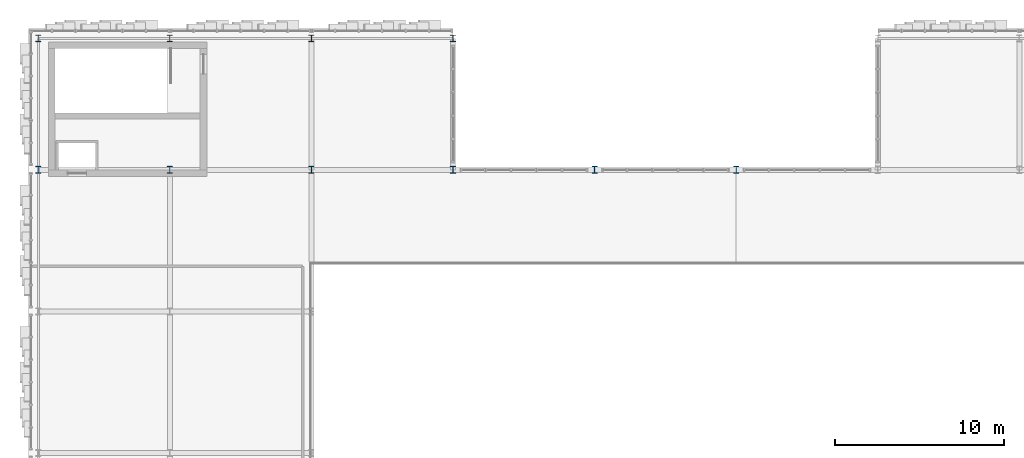
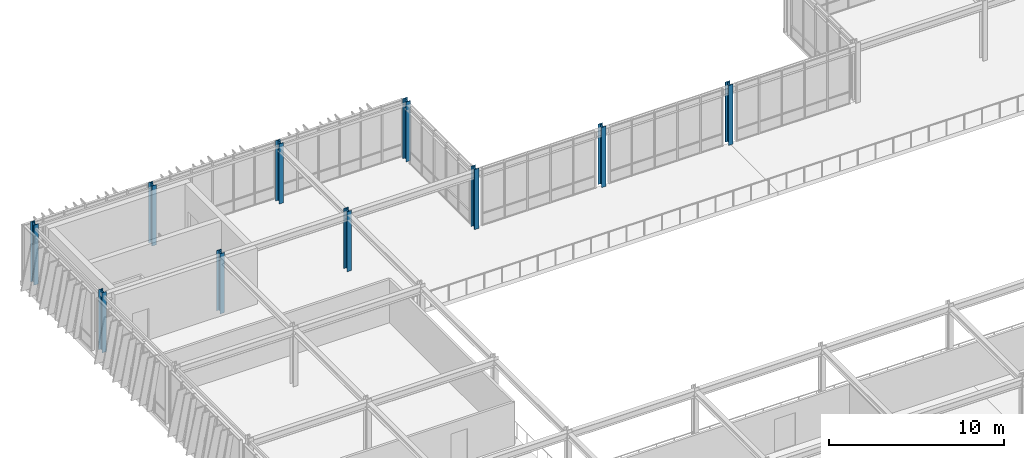
# One storey, part 9 of 123: 10 columns.
"""IFC4 building model written with IfcOpenShell, lengths in metres."""

from ifc_helpers import new_model, si_unit, direction, frame, origin, origin_2d, place, context, subcontext, project, spatial, i_section, extrude, material, material_profile, profile_set, type_object, element, save


model = new_model("IFC4")

# Units and contexts
model_context = context("Model", 3, precision=1e-05, world=origin(), true_north=direction((0.0, 1.0)))
body_context = subcontext(model_context, "Body", "Model", "MODEL_VIEW")
ifc_project = project(units=[si_unit("LENGTHUNIT", "METRE"), si_unit("AREAUNIT", "SQUARE_METRE"), si_unit("VOLUMEUNIT", "CUBIC_METRE"), si_unit("PLANEANGLEUNIT", "RADIAN"), si_unit("MASSUNIT", "GRAM", prefix="KILO")], contexts=[model_context])

# Site, building, storey
site_placement = place(None, origin())
site = spatial("IfcSite", under=ifc_project, at=site_placement, CompositionType="ELEMENT")
building_placement = place(site_placement, origin())
building = spatial("IfcBuilding", under=site, at=building_placement, Name="Zayran Congress Hotel", CompositionType="ELEMENT")
storey_placement = place(building_placement, frame((0.0, 0.0, 15.0)))
storey = spatial("IfcBuildingStorey", under=building, at=storey_placement, Name="L03", CompositionType="ELEMENT", Elevation=15.0)

# Columns
ifc_material = material(Name="Steel S355", Category="steel")
ifc_material_profile = material_profile(ifc_material, i_section(OverallWidth=0.300048828125, OverallDepth=0.39990234375, WebThickness=0.013427734375, FlangeThickness=0.02392578125, at=origin_2d()), Name="HEB 400")
ifc_profile_set = profile_set([ifc_material_profile], Name="Steel S355")
column_type = type_object("IfcColumnType", Name="TP-CL-07", PredefinedType="COLUMN", material=ifc_profile_set)
for number, where, z_axis, x_axis, name in (
    (1, (9.0, 109.60009765625, 0.0), (0.0, 0.0, 1.0), (1.0, 0.0, 0.0), "COL-V1-L03-0459"),
    (2, (9.0, 117.39990234375, 0.0), (0.0, 0.0, 1.0), (1.0, 0.0, 0.0), "COL-V1-L03-0460"),
    (3, (16.800048828125, 109.60009765625, 0.0), (0.0, 0.0, 1.0), (1.0, 0.0, 0.0), "COL-V1-L03-0466"),
    (4, (16.800048828125, 117.39990234375, 0.0), (0.0, 0.0, 1.0), (1.0, 0.0, 0.0), "COL-V1-L03-0467"),
    (5, (25.199951171875, 109.60009765625, 0.0), (0.0, 0.0, 1.0), (1.0, 0.0, 0.0), "COL-V1-L03-0473"),
    (6, (25.199951171875, 117.39990234375, 0.0), (0.0, 0.0, 1.0), (1.0, 0.0, 0.0), "COL-V1-L03-0474"),
    (7, (33.60009765625, 109.60009765625, 0.0), (0.0, 0.0, 1.0), (1.0, 0.0, 0.0), "COL-V1-L03-0478"),
    (8, (33.60009765625, 117.39990234375, 0.0), (0.0, 0.0, 1.0), (1.0, 0.0, 0.0), "COL-V1-L03-0479"),
    (9, (42.0, 109.60009765625, 0.0), (0.0, 0.0, 1.0), (1.0, 0.0, 0.0), "COL-V1-L03-0483"),
    (10, (50.39990234375, 109.60009765625, 0.0), (0.0, 0.0, 1.0), (1.0, 0.0, 0.0), "COL-V1-L03-0488"),
):
    element("IfcColumn", number, at=place(storey_placement, frame(where, z_axis=z_axis, x_axis=x_axis)), inside=storey, type_object=column_type, Name=name, PredefinedType="COLUMN", context=body_context, shape_type="SweptSolid", body=[
        extrude(i_section(OverallWidth=0.300048828125, OverallDepth=0.39990234375, WebThickness=0.013427734375, FlangeThickness=0.02392578125, at=origin_2d()), origin(), (0.0, 0.0, 1.0), 4.199951171875),
    ])

save(model, "model.ifc")
